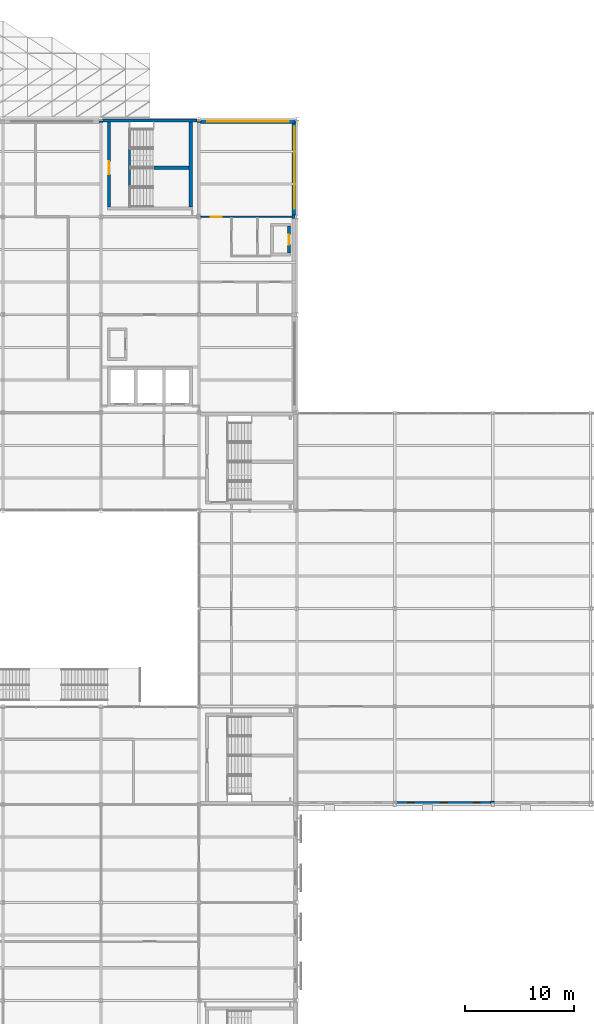
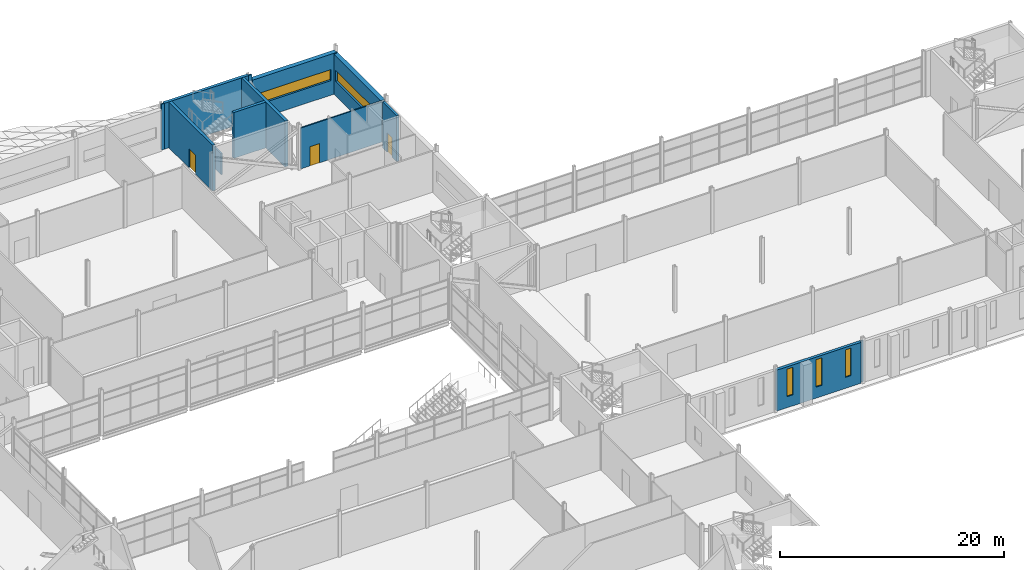
# One storey, part 87 of 112: 14 walls, 5 windows, 3 doors, 8 openings.
"""IFC4 building model written with IfcOpenShell, lengths in metres."""

from ifc_helpers import new_model, si_unit, direction, frame, frame_2d, origin, place, context, subcontext, project, spatial, rectangle, extrude, material, layer, layer_set, type_object, element, fill, save


model = new_model("IFC4")

# Units and contexts
model_context = context("Model", 3, precision=1e-05, world=origin(), true_north=direction((0.0, 1.0)))
body_context = subcontext(model_context, "Body", "Model", "MODEL_VIEW")
ifc_project = project(units=[si_unit("LENGTHUNIT", "METRE"), si_unit("AREAUNIT", "SQUARE_METRE"), si_unit("VOLUMEUNIT", "CUBIC_METRE"), si_unit("PLANEANGLEUNIT", "RADIAN"), si_unit("MASSUNIT", "GRAM", prefix="KILO")], contexts=[model_context])

# Site, building, storey
site_placement = place(None, origin())
site = spatial("IfcSite", under=ifc_project, at=site_placement, CompositionType="ELEMENT")
building_placement = place(site_placement, origin())
building = spatial("IfcBuilding", under=site, at=building_placement, Name="Shorebreak Coast Museum", CompositionType="ELEMENT")
storey_placement = place(building_placement, frame((0.0, 0.0, 6.0)))
storey = spatial("IfcBuildingStorey", under=building, at=storey_placement, Name="L01", CompositionType="ELEMENT", Elevation=6.0)

# Walls
ifc_material_1 = material(Name="Concrete N50 (50 MPa)", Category="concrete")
ifc_layer_1 = layer(ifc_material_1, 0.136474609375)
ifc_layer_set_1 = layer_set([ifc_layer_1], Name="Concrete N50 (50 MPa)")
wall_type_1 = type_object("IfcWallType", Name="Column closure panel 136", PredefinedType="SOLIDWALL", material=ifc_layer_set_1)
for number, where, z_axis, x_axis, name in (
    (1, (98.83349609375, 116.768310546875, 0.0), (0.0, 0.0, 1.0), (1.0, 0.0, 0.0), "Column closure panel L01 N 12P"),
    (2, (107.844482421875, 116.768310546875, 0.0), (0.0, 0.0, 1.0), (1.0, 0.0, 0.0), "Column closure panel L01 N 13P"),
):
    element("IfcWall", number, at=place(storey_placement, frame(where, z_axis=z_axis, x_axis=x_axis)), inside=storey, type_object=wall_type_1, Name=name, PredefinedType="SOLIDWALL", context=body_context, shape_type="SweptSolid", body=[
        extrude(rectangle(XDim=0.322021484375, YDim=0.136474609375, at=frame_2d((0.1611328125, 0.0))), origin(), (0.0, 0.0, 1.0), 5.0),
    ])
ifc_material_2 = material(Name="Concrete N50 (50 MPa)", Category="concrete")
ifc_layer_2 = layer(ifc_material_2, 0.14990234375)
ifc_layer_set_2 = layer_set([ifc_layer_2], Name="Concrete N50 (50 MPa)")
wall_type_2 = type_object("IfcWallType", Name="Column closure panel 150", PredefinedType="SOLIDWALL", material=ifc_layer_set_2)
wall_1_placement = place(storey_placement, frame((134.839111328125, 54.22509765625, 0.0), z_axis=(0.0, 0.0, 1.0), x_axis=(1.0, 0.0, 0.0)))
element("IfcWall", 3, at=wall_1_placement, inside=storey, type_object=wall_type_2, Name="Column closure panel L01 S 16G", PredefinedType="SOLIDWALL", context=body_context, shape_type="SweptSolid", body=[
    extrude(rectangle(XDim=0.32177734375, YDim=0.14990234375, at=frame_2d((0.160888671875, 0.0))), origin(), (0.0, 0.0, 1.0), 4.469482421875),
])
ifc_material_3 = material(Name="Concrete N50 (50 MPa)", Category="concrete")
ifc_layer_3 = layer(ifc_material_3, 0.29541015625)
ifc_layer_set_3 = layer_set([ifc_layer_3], Name="Concrete N50 (50 MPa)")
wall_type_3 = type_object("IfcWallType", Name="Column closure panel 295", PredefinedType="SOLIDWALL", material=ifc_layer_set_3)
wall_2_placement = place(storey_placement, frame((116.69775390625, 107.839111328125, 0.0), z_axis=(0.0, 0.0, 1.0), x_axis=(0.0, 1.0, 0.0)))
element("IfcWall", 4, at=wall_2_placement, inside=storey, type_object=wall_type_3, Name="Column closure panel L01 E 14N", PredefinedType="SOLIDWALL", context=body_context, shape_type="SweptSolid", body=[
    extrude(rectangle(XDim=0.32177734375, YDim=0.29541015625, at=frame_2d((0.160888671875, 0.0))), origin(), (0.0, 0.0, 1.0), 4.364501953125),
])

# Wall, opening, window
ifc_material_4 = material(Name="Concrete N50 (50 MPa)", Category="concrete")
ifc_layer_4 = layer(ifc_material_4, 0.449951171875)
ifc_layer_set_4 = layer_set([ifc_layer_4], Name="Concrete N50 (50 MPa)")
wall_type_4 = type_object("IfcWallType", Name="Deep-set precast panel 450", PredefinedType="SOLIDWALL", material=ifc_layer_set_4)
wall_3_placement = place(storey_placement, frame((108.16650390625, 116.77490234375, 0.0), z_axis=(0.0, 0.0, 1.0), x_axis=(1.0, 0.0, 0.0)))
wall_3 = element("IfcWall", 5, at=wall_3_placement, inside=storey, type_object=wall_type_4, Name="External wall L01 N 13P", PredefinedType="SOLIDWALL", context=body_context, shape_type="SweptSolid", body=[
    extrude(rectangle(XDim=8.677978515625, YDim=0.449951171875, at=frame_2d((4.3388671875, 0.0))), origin(), (0.0, 0.0, 1.0), 4.46630859375),
])
opening_1_placement = place(wall_3_placement, frame((0.58349609375, 0.0, 1.60009765625)))
opening_1 = element("IfcOpeningElement", 6, at=opening_1_placement, cuts=wall_3, Name="Opening WN1021", PredefinedType="OPENING", context=body_context, shape_type="SweptSolid", body=[
    extrude(rectangle(XDim=7.5, YDim=1.199951171875, at=frame_2d((3.75, 0.60009765625))), frame((0.0, 0.23486328125, 0.0), z_axis=(0.0, -1.0, 0.0), x_axis=(1.0, 0.0, 0.0)), (0.0, 0.0, 1.0), 0.469970703125),
])
ifc_material_5 = material(Name="Aluminium", Category="aluminium")
window_type_1 = type_object("IfcWindowType", Name="Ribbon window 7500 x 1200", PartitioningType="SINGLE_PANEL", PredefinedType="WINDOW", material=ifc_material_5)
window_1_placement = place(opening_1_placement, origin())
window_1 = element("IfcWindow", 7, at=window_1_placement, inside=storey, type_object=window_type_1, Name="Window WN1021", OverallHeight=1.199951171875, OverallWidth=7.5, PartitioningType="SINGLE_PANEL", PredefinedType="WINDOW", context=body_context, shape_type="SweptSolid", body=[
    extrude(rectangle(XDim=7.5, YDim=1.199951171875, at=frame_2d((3.75, 0.60009765625))), frame((0.0, 0.030029296875, 0.0), z_axis=(0.0, -1.0, 0.0), x_axis=(1.0, 0.0, 0.0)), (0.0, 0.0, 1.0), 0.06005859375),
])
fill(opening_1, window_1)

wall_4_placement = place(storey_placement, frame((116.77490234375, 108.160888671875, 0.0), z_axis=(0.0, 0.0, 1.0), x_axis=(0.0, 1.0, 0.0)))
wall_4 = element("IfcWall", 8, at=wall_4_placement, inside=storey, type_object=wall_type_4, Name="External wall L01 E 14N", PredefinedType="SOLIDWALL", context=body_context, shape_type="SweptSolid", body=[
    extrude(rectangle(XDim=8.675537109375, YDim=0.449951171875, at=frame_2d((4.337890625, 0.0))), origin(), (0.0, 0.0, 1.0), 4.364501953125),
])
opening_2_placement = place(wall_4_placement, frame((0.589599609375, 0.0, 1.60009765625)))
opening_2 = element("IfcOpeningElement", 9, at=opening_2_placement, cuts=wall_4, Name="Opening WN1015", PredefinedType="OPENING", context=body_context, shape_type="SweptSolid", body=[
    extrude(rectangle(XDim=7.5, YDim=1.199951171875, at=frame_2d((3.75, 0.60009765625))), frame((0.0, 0.23486328125, 0.0), z_axis=(0.0, -1.0, 0.0), x_axis=(1.0, 0.0, 0.0)), (0.0, 0.0, 1.0), 0.469970703125),
])
window_2_placement = place(opening_2_placement, origin())
window_2 = element("IfcWindow", 10, at=window_2_placement, inside=storey, type_object=window_type_1, Name="Window WN1015", OverallHeight=1.199951171875, OverallWidth=7.5, PartitioningType="SINGLE_PANEL", PredefinedType="WINDOW", context=body_context, shape_type="SweptSolid", body=[
    extrude(rectangle(XDim=7.5, YDim=1.199951171875, at=frame_2d((3.75, 0.60009765625))), frame((0.0, 0.030029296875, 0.0), z_axis=(0.0, -1.0, 0.0), x_axis=(1.0, 0.0, 0.0)), (0.0, 0.0, 1.0), 0.06005859375),
])
fill(opening_2, window_2)

# Wall, opening, door
ifc_material_6 = material(Name="Plasterboard on steel stud", Category="steel")
ifc_layer_5 = layer(ifc_material_6, 0.125)
ifc_layer_set_5 = layer_set([ifc_layer_5], Name="Plasterboard on steel stud")
wall_type_5 = type_object("IfcWallType", Name="Partition 125", PredefinedType="PARTITIONING", material=ifc_layer_set_5)
wall_5_placement = place(storey_placement, frame((108.154541015625, 108.0, 0.0), z_axis=(0.0, 0.0, 1.0), x_axis=(1.0, 0.0, 0.0)))
wall_5 = element("IfcWall", 11, at=wall_5_placement, inside=storey, type_object=wall_type_5, Name="Partition L01-084", PredefinedType="PARTITIONING", context=body_context, shape_type="SweptSolid", body=[
    extrude(rectangle(XDim=8.3955078125, YDim=0.125, at=frame_2d((4.19775390625, 0.0))), origin(), (0.0, 0.0, 1.0), 4.46630859375),
])
opening_3_placement = place(wall_5_placement, frame((0.949951171875, 0.0, 0.0)))
opening_3 = element("IfcOpeningElement", 12, at=opening_3_placement, cuts=wall_5, Name="Opening D1016", PredefinedType="OPENING", context=body_context, shape_type="SweptSolid", body=[
    extrude(rectangle(XDim=1.0, YDim=2.10009765625, at=frame_2d((0.5, 1.050048828125))), frame((0.0, 0.072509765625, 0.0), z_axis=(0.0, -1.0, 0.0), x_axis=(1.0, 0.0, 0.0)), (0.0, 0.0, 1.0), 0.14501953125),
])
ifc_material_7 = material(Name="Timber", Category="wood")
door_type_1 = type_object("IfcDoorType", Name="Interior door 1000x2100", OperationType="SINGLE_SWING_LEFT", PredefinedType="DOOR", material=ifc_material_7)
door_1_placement = place(opening_3_placement, origin())
door_1 = element("IfcDoor", 13, at=door_1_placement, inside=storey, type_object=door_type_1, Name="Door D1016 Services Store 1.02", OperationType="SINGLE_SWING_RIGHT", OverallHeight=2.10009765625, OverallWidth=1.0, PredefinedType="DOOR", context=body_context, shape_type="SweptSolid", body=[
    extrude(rectangle(XDim=1.0, YDim=2.10009765625, at=frame_2d((0.5, 1.050048828125))), frame((0.0, 0.02490234375, 0.0), z_axis=(0.0, -1.0, 0.0), x_axis=(1.0, 0.0, 0.0)), (0.0, 0.0, 1.0), 0.050048828125),
])
fill(opening_3, door_1)

# Wall, openings, windows
ifc_material_8 = material(Name="Concrete N50 (50 MPa)", Category="concrete")
ifc_layer_6 = layer(ifc_material_8, 0.300048828125)
ifc_layer_set_6 = layer_set([ifc_layer_6], Name="Concrete N50 (50 MPa)")
wall_type_6 = type_object("IfcWallType", Name="Precast board-marked panel 300", PredefinedType="SOLIDWALL", material=ifc_layer_set_6)
wall_6_placement = place(storey_placement, frame((126.160888671875, 54.14990234375, 0.0), z_axis=(0.0, 0.0, 1.0), x_axis=(1.0, 0.0, 0.0)))
wall_6 = element("IfcWall", 14, at=wall_6_placement, inside=storey, type_object=wall_type_6, Name="External wall L01 S 15G", PredefinedType="SOLIDWALL", context=body_context, shape_type="SweptSolid", body=[
    extrude(rectangle(XDim=8.67822265625, YDim=0.300048828125, at=frame_2d((4.339111328125, 0.0))), origin(), (0.0, 0.0, 1.0), 4.469482421875),
])
opening_4_placement = place(wall_6_placement, frame((1.0390625, 0.0, 1.199951171875)))
opening_4 = element("IfcOpeningElement", 15, at=opening_4_placement, cuts=wall_6, Name="Opening WN1036", PredefinedType="OPENING", context=body_context, shape_type="SweptSolid", body=[
    extrude(rectangle(XDim=0.60009765625, YDim=3.0, at=frame_2d((0.300048828125, 1.5))), frame((0.0, 0.159912109375, 0.0), z_axis=(0.0, -1.0, 0.0), x_axis=(1.0, 0.0, 0.0)), (0.0, 0.0, 1.0), 0.320068359375),
])
opening_5_placement = place(wall_6_placement, frame((4.0390625, 0.0, 1.199951171875)))
opening_5 = element("IfcOpeningElement", 16, at=opening_5_placement, cuts=wall_6, Name="Opening WN1037", PredefinedType="OPENING", context=body_context, shape_type="SweptSolid", body=[
    extrude(rectangle(XDim=0.60009765625, YDim=3.0, at=frame_2d((0.300048828125, 1.5))), frame((0.0, 0.159912109375, 0.0), z_axis=(0.0, -1.0, 0.0), x_axis=(1.0, 0.0, 0.0)), (0.0, 0.0, 1.0), 0.320068359375),
])
opening_6_placement = place(wall_6_placement, frame((7.0390625, 0.0, 1.199951171875)))
opening_6 = element("IfcOpeningElement", 17, at=opening_6_placement, cuts=wall_6, Name="Opening WN1038", PredefinedType="OPENING", context=body_context, shape_type="SweptSolid", body=[
    extrude(rectangle(XDim=0.60009765625, YDim=3.0, at=frame_2d((0.300048828125, 1.5))), frame((0.0, 0.159912109375, 0.0), z_axis=(0.0, -1.0, 0.0), x_axis=(1.0, 0.0, 0.0)), (0.0, 0.0, 1.0), 0.320068359375),
])
ifc_material_9 = material(Name="Aluminium", Category="aluminium")
window_type_2 = type_object("IfcWindowType", Name="Hall slot window 600 x 3000", PartitioningType="SINGLE_PANEL", PredefinedType="WINDOW", material=ifc_material_9)
window_3_placement = place(opening_4_placement, origin())
window_3 = element("IfcWindow", 18, at=window_3_placement, inside=storey, type_object=window_type_2, Name="Window WN1036", OverallHeight=3.0, OverallWidth=0.60009765625, PartitioningType="SINGLE_PANEL", PredefinedType="WINDOW", context=body_context, shape_type="SweptSolid", body=[
    extrude(rectangle(XDim=0.60009765625, YDim=3.0, at=frame_2d((0.300048828125, 1.5))), frame((0.0, 0.030029296875, 0.0), z_axis=(0.0, -1.0, 0.0), x_axis=(1.0, 0.0, 0.0)), (0.0, 0.0, 1.0), 0.06005859375),
])
fill(opening_4, window_3)
window_4_placement = place(opening_5_placement, origin())
window_4 = element("IfcWindow", 19, at=window_4_placement, inside=storey, type_object=window_type_2, Name="Window WN1037", OverallHeight=3.0, OverallWidth=0.60009765625, PartitioningType="SINGLE_PANEL", PredefinedType="WINDOW", context=body_context, shape_type="SweptSolid", body=[
    extrude(rectangle(XDim=0.60009765625, YDim=3.0, at=frame_2d((0.300048828125, 1.5))), frame((0.0, 0.030029296875, 0.0), z_axis=(0.0, -1.0, 0.0), x_axis=(1.0, 0.0, 0.0)), (0.0, 0.0, 1.0), 0.06005859375),
])
fill(opening_5, window_4)
window_5_placement = place(opening_6_placement, origin())
window_5 = element("IfcWindow", 20, at=window_5_placement, inside=storey, type_object=window_type_2, Name="Window WN1038", OverallHeight=3.0, OverallWidth=0.60009765625, PartitioningType="SINGLE_PANEL", PredefinedType="WINDOW", context=body_context, shape_type="SweptSolid", body=[
    extrude(rectangle(XDim=0.60009765625, YDim=3.0, at=frame_2d((0.300048828125, 1.5))), frame((0.0, 0.030029296875, 0.0), z_axis=(0.0, -1.0, 0.0), x_axis=(1.0, 0.0, 0.0)), (0.0, 0.0, 1.0), 0.06005859375),
])
fill(opening_6, window_5)

# Wall, opening, door
ifc_material_10 = material(Name="Concrete N50 (50 MPa)", Category="concrete")
ifc_layer_7 = layer(ifc_material_10, 0.25)
ifc_layer_set_7 = layer_set([ifc_layer_7], Name="Concrete N50 (50 MPa)")
wall_type_7 = type_object("IfcWallType", Name="RC riser wall 250", PredefinedType="STANDARD", material=ifc_layer_set_7)
wall_7_placement = place(storey_placement, frame((116.27490234375, 104.64990234375, 0.0), z_axis=(0.0, 0.0, 1.0), x_axis=(0.0, 1.0, 0.0)))
wall_7 = element("IfcWall", 21, at=wall_7_placement, inside=storey, type_object=wall_type_7, Name="Riser wall R-WC-N2 L01 E", PredefinedType="STANDARD", context=body_context, shape_type="SweptSolid", body=[
    extrude(rectangle(XDim=2.5, YDim=0.25, at=frame_2d((1.25, 0.0))), origin(), (0.0, 0.0, 1.0), 5.0),
])
opening_7_placement = place(wall_7_placement, frame((0.800048828125, 0.0, 0.0)))
opening_7 = element("IfcOpeningElement", 22, at=opening_7_placement, cuts=wall_7, Name="Opening D1602", PredefinedType="OPENING", context=body_context, shape_type="SweptSolid", body=[
    extrude(rectangle(XDim=0.89990234375, YDim=2.10009765625, at=frame_2d((0.449951171875, 1.050048828125))), frame((0.0, 0.135009765625, 0.0), z_axis=(0.0, -1.0, 0.0), x_axis=(1.0, 0.0, 0.0)), (0.0, 0.0, 1.0), 0.27001953125),
])
ifc_material_11 = material(Name="Steel Grade 300", Category="steel")
door_type_2 = type_object("IfcDoorType", Name="Riser door 900x2100", OperationType="SINGLE_SWING_LEFT", PredefinedType="DOOR", material=ifc_material_11)
door_2_placement = place(opening_7_placement, origin())
door_2 = element("IfcDoor", 23, at=door_2_placement, inside=storey, type_object=door_type_2, Name="Riser door R-WC-N2 L01", OperationType="SINGLE_SWING_LEFT", OverallHeight=2.10009765625, OverallWidth=0.89990234375, PredefinedType="DOOR", context=body_context, shape_type="SweptSolid", body=[
    extrude(rectangle(XDim=0.89990234375, YDim=2.10009765625, at=frame_2d((0.449951171875, 1.050048828125))), frame((0.0, 0.02490234375, 0.0), z_axis=(0.0, -1.0, 0.0), x_axis=(1.0, 0.0, 0.0)), (0.0, 0.0, 1.0), 0.050048828125),
])
fill(opening_7, door_2)

# Wall
ifc_material_12 = material(Name="Concrete N50 (50 MPa)", Category="concrete")
ifc_layer_8 = layer(ifc_material_12, 0.300048828125)
ifc_layer_set_8 = layer_set([ifc_layer_8], Name="Concrete N50 (50 MPa)")
wall_type_8 = type_object("IfcWallType", Name="RC wall 300", PredefinedType="SHEAR", material=ifc_layer_set_8)
wall_8_placement = place(storey_placement, frame((99.155517578125, 116.85009765625, 0.0), z_axis=(0.0, 0.0, 1.0), x_axis=(1.0, 0.0, 0.0)))
element("IfcWall", 24, at=wall_8_placement, inside=storey, type_object=wall_type_8, Name="Stair core wall ST10 L01 N", PredefinedType="SHEAR", context=body_context, shape_type="SweptSolid", body=[
    extrude(rectangle(XDim=8.68896484375, YDim=0.300048828125, at=frame_2d((4.344482421875, 0.0))), origin(), (0.0, 0.0, 1.0), 5.0),
])

# Wall, opening, door
wall_9_placement = place(storey_placement, frame((99.75, 108.89990234375, 0.0), z_axis=(0.0, 0.0, 1.0), x_axis=(0.0, 1.0, 0.0)))
wall_9 = element("IfcWall", 25, at=wall_9_placement, inside=storey, type_object=wall_type_8, Name="Stair core wall ST10 L01 W", PredefinedType="SHEAR", context=body_context, shape_type="SweptSolid", body=[
    extrude(rectangle(XDim=7.800048828125, YDim=0.300048828125, at=frame_2d((3.89990234375, 0.0))), origin(), (0.0, 0.0, 1.0), 5.0),
])
opening_8_placement = place(wall_9_placement, frame((3.0, 0.0, 0.0)))
opening_8 = element("IfcOpeningElement", 26, at=opening_8_placement, cuts=wall_9, Name="Opening D1810", PredefinedType="OPENING", context=body_context, shape_type="SweptSolid", body=[
    extrude(rectangle(XDim=1.199951171875, YDim=2.10009765625, at=frame_2d((0.60009765625, 1.050048828125))), frame((0.0, 0.159912109375, 0.0), z_axis=(0.0, -1.0, 0.0), x_axis=(1.0, 0.0, 0.0)), (0.0, 0.0, 1.0), 0.320068359375),
])
ifc_material_13 = material(Name="Steel Grade 300", Category="steel")
door_type_3 = type_object("IfcDoorType", Name="Fire door 1200x2100", OperationType="SINGLE_SWING_LEFT", PredefinedType="DOOR", material=ifc_material_13)
door_3_placement = place(opening_8_placement, origin())
door_3 = element("IfcDoor", 27, at=door_3_placement, inside=storey, type_object=door_type_3, Name="Stair door ST10 L01", OperationType="SINGLE_SWING_LEFT", OverallHeight=2.10009765625, OverallWidth=1.199951171875, PredefinedType="DOOR", context=body_context, shape_type="SweptSolid", body=[
    extrude(rectangle(XDim=1.199951171875, YDim=2.10009765625, at=frame_2d((0.60009765625, 1.050048828125))), frame((0.0, 0.02490234375, 0.0), z_axis=(0.0, -1.0, 0.0), x_axis=(1.0, 0.0, 0.0)), (0.0, 0.0, 1.0), 0.050048828125),
])
fill(opening_8, door_3)

# Walls
wall_10_placement = place(storey_placement, frame((107.25, 108.89990234375, 0.0), z_axis=(0.0, 0.0, 1.0), x_axis=(0.0, 1.0, 0.0)))
element("IfcWall", 28, at=wall_10_placement, inside=storey, type_object=wall_type_8, Name="Stair core wall ST10 L01 E", PredefinedType="SHEAR", context=body_context, shape_type="SweptSolid", body=[
    extrude(rectangle(XDim=7.800048828125, YDim=0.300048828125, at=frame_2d((3.89990234375, 0.0))), origin(), (0.0, 0.0, 1.0), 5.0),
])
wall_11_placement = place(storey_placement, frame((103.800048828125, 112.5, 0.0), z_axis=(0.0, 0.0, 1.0), x_axis=(1.0, 0.0, 0.0)))
element("IfcWall", 29, at=wall_11_placement, inside=storey, type_object=wall_type_8, Name="Stair spine wall ST10 L01", PredefinedType="SHEAR", context=body_context, shape_type="SweptSolid", body=[
    extrude(rectangle(XDim=3.300048828125, YDim=0.300048828125, at=frame_2d((1.64990234375, 0.0))), origin(), (0.0, 0.0, 1.0), 5.0),
])
ifc_material_14 = material(Name="Concrete N50 (50 MPa)", Category="concrete")
ifc_layer_9 = layer(ifc_material_14, 0.14990234375)
ifc_layer_set_9 = layer_set([ifc_layer_9], Name="Concrete N50 (50 MPa)")
wall_type_9 = type_object("IfcWallType", Name="Understair wall 150", PredefinedType="STANDARD", material=ifc_layer_set_9)
wall_12_placement = place(storey_placement, frame((101.625, 110.699951171875, 0.0), z_axis=(0.0, 0.0, 1.0), x_axis=(0.0, 1.0, 0.0)))
element("IfcWall", 30, at=wall_12_placement, inside=storey, type_object=wall_type_9, Name="Understair wall ST10 L01 floor", PredefinedType="STANDARD", context=body_context, shape_type="SweptSolid", body=[
    extrude(rectangle(XDim=3.60009765625, YDim=0.14990234375, at=frame_2d((1.800048828125, 0.0))), origin(), (0.0, 0.0, 1.0), 2.300048828125),
])

save(model, "model.ifc")
